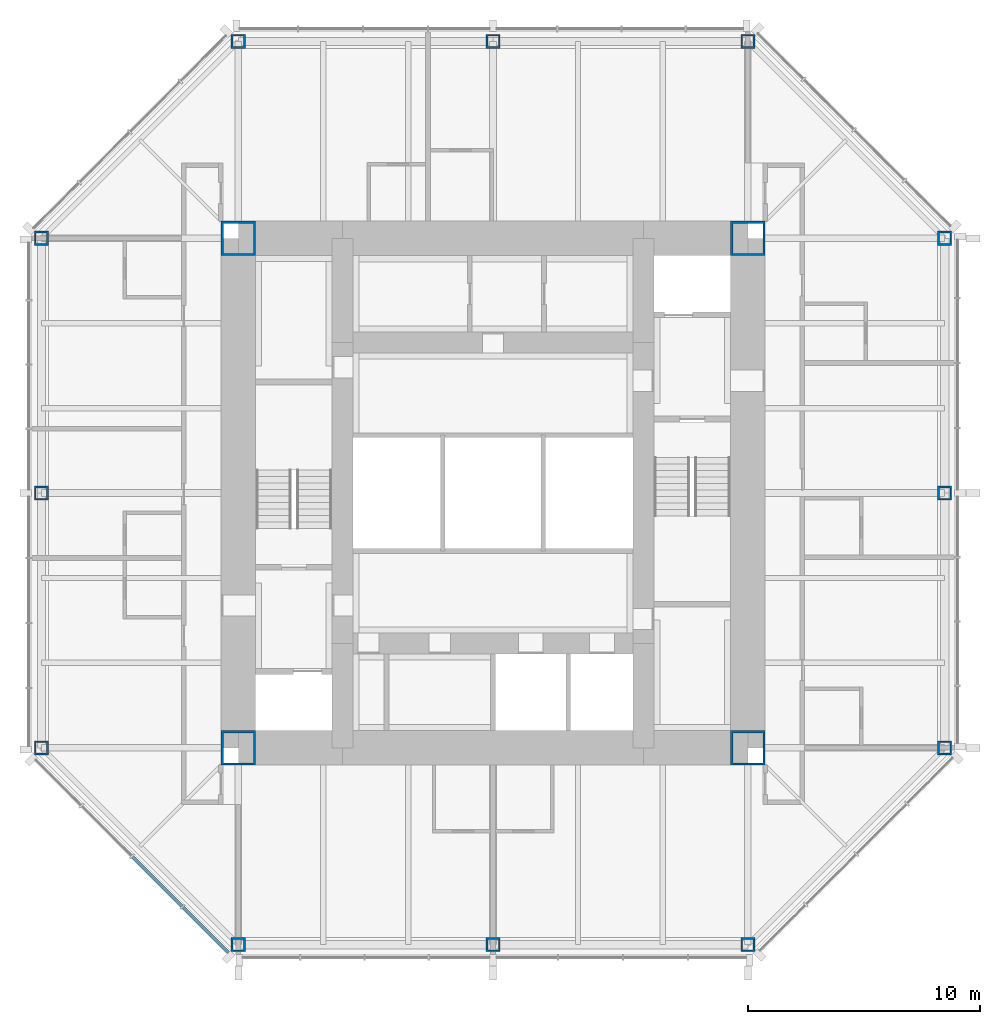
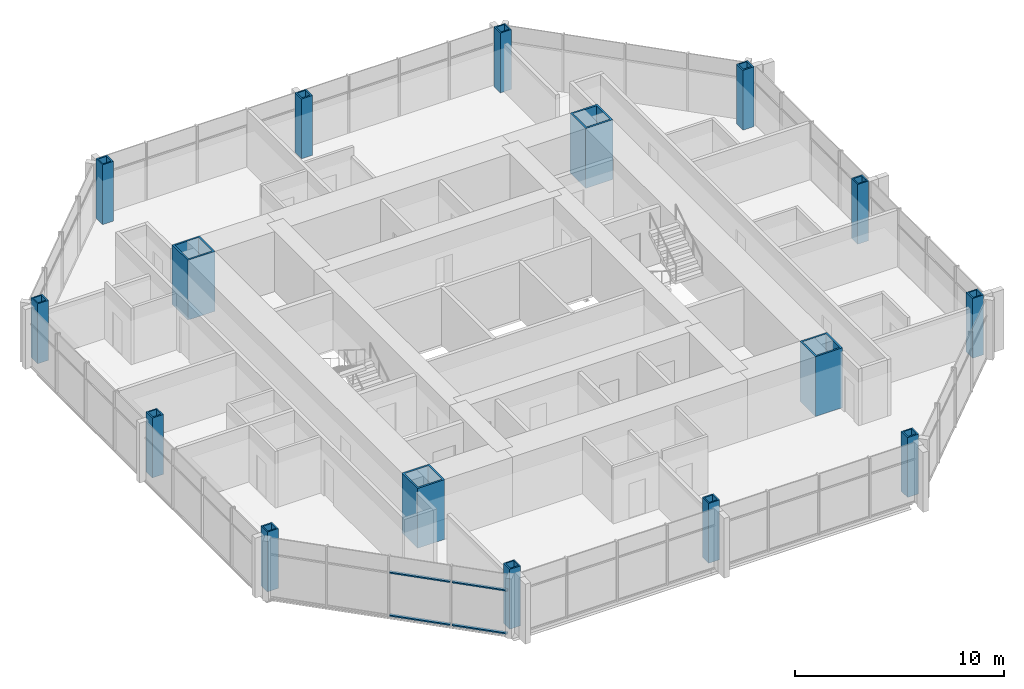
# One storey, part 1 of 11: 16 columns, 4 members, 1 element without a shape of its own.
"""IFC4 building model written with IfcOpenShell, lengths in metres."""

from ifc_helpers import new_model, si_unit, direction, frame, origin, origin_2d, place, context, subcontext, project, spatial, rectangle, hollow_rectangle, extrude, material, material_profile, profile_set, type_object, element, aggregate, save


model = new_model("IFC4")

# Units and contexts
model_context = context("Model", 3, precision=1e-05, world=origin(), true_north=direction((0.0, 1.0)))
body_context = subcontext(model_context, "Body", "Model", "MODEL_VIEW")
ifc_project = project(units=[si_unit("LENGTHUNIT", "METRE"), si_unit("AREAUNIT", "SQUARE_METRE"), si_unit("VOLUMEUNIT", "CUBIC_METRE"), si_unit("PLANEANGLEUNIT", "RADIAN"), si_unit("MASSUNIT", "GRAM", prefix="KILO")], contexts=[model_context])

# Site, building, storey
site_placement = place(None, origin())
site = spatial("IfcSite", under=ifc_project, at=site_placement, CompositionType="ELEMENT")
building_placement = place(site_placement, origin())
building = spatial("IfcBuilding", under=site, at=building_placement, Name="Trevanion Tower", CompositionType="ELEMENT")
storey_placement = place(building_placement, frame((0.0, 0.0, 232.699951171875)))
storey = spatial("IfcBuildingStorey", under=building, at=storey_placement, Name="L56", CompositionType="ELEMENT", Elevation=232.699951171875)

# Columns
ifc_material_1 = material(Name="Steel ASTM A572 Grade 50", Category="steel")
ifc_material_profile_1 = material_profile(ifc_material_1, hollow_rectangle(XDim=0.609619140625, YDim=0.609619140625, WallThickness=0.076171875, at=origin_2d()), Name="BOX24X24X3")
ifc_profile_set_1 = profile_set([ifc_material_profile_1], Name="Steel ASTM A572 Grade 50")
column_type_1 = type_object("IfcColumnType", Name="C5 BOX24X24X3", PredefinedType="COLUMN", material=ifc_profile_set_1)
for number, where, z_axis, x_axis, name in (
    (1, (-19.5, 0.0, 0.0), (0.0, 0.0, 1.0), (0.0, 1.0, 0.0), "C5 5/H L56"),
    (2, (-19.5, -11.0, 0.0), (0.0, 0.0, 1.0), (0.0, 1.0, 0.0), "C5 5/F L56"),
    (3, (-11.0, -19.5, 0.0), (0.0, 0.0, 1.0), (1.0, 0.0, 0.0), "C5 8/C L56"),
    (4, (0.0, -19.5, 0.0), (0.0, 0.0, 1.0), (1.0, 0.0, 0.0), "C5 10/C L56"),
    (5, (11.0, -19.5, 0.0), (0.0, 0.0, 1.0), (1.0, 0.0, 0.0), "C5 12/C L56"),
    (6, (19.5, -11.0, 0.0), (0.0, 0.0, 1.0), (0.0, 1.0, 0.0), "C5 15/F L56"),
    (7, (19.5, 0.0, 0.0), (0.0, 0.0, 1.0), (0.0, 1.0, 0.0), "C5 15/H L56"),
    (8, (19.5, 11.0, 0.0), (0.0, 0.0, 1.0), (0.0, 1.0, 0.0), "C5 15/K L56"),
    (9, (11.0, 19.5, 0.0), (0.0, 0.0, 1.0), (1.0, 0.0, 0.0), "C5 12/N L56"),
    (10, (0.0, 19.5, 0.0), (0.0, 0.0, 1.0), (1.0, 0.0, 0.0), "C5 10/N L56"),
    (11, (-11.0, 19.5, 0.0), (0.0, 0.0, 1.0), (1.0, 0.0, 0.0), "C5 8/N L56"),
    (12, (-19.5, 11.0, 0.0), (0.0, 0.0, 1.0), (0.0, 1.0, 0.0), "C5 5/K L56"),
):
    element("IfcColumn", number, at=place(storey_placement, frame(where, z_axis=z_axis, x_axis=x_axis)), inside=storey, type_object=column_type_1, Name=name, PredefinedType="COLUMN", context=body_context, shape_type="SweptSolid", body=[
        extrude(hollow_rectangle(XDim=0.609619140625, YDim=0.609619140625, WallThickness=0.076171875, at=origin_2d()), origin(), (0.0, 0.0, 1.0), 3.5),
    ])
ifc_material_2 = material(Name="Steel ASTM A572 Grade 50", Category="steel")
ifc_material_profile_2 = material_profile(ifc_material_2, hollow_rectangle(XDim=1.49853515625, YDim=1.49853515625, WallThickness=0.1015625, at=origin_2d()), Name="BOX59X59X4")
ifc_profile_set_2 = profile_set([ifc_material_profile_2], Name="Steel ASTM A572 Grade 50")
column_type_2 = type_object("IfcColumnType", Name="CB1 BOX59X59X4", PredefinedType="COLUMN", material=ifc_profile_set_2)
for number, where, z_axis, x_axis, name in (
    (13, (11.0, 11.0, 0.0), (0.0, 0.0, 1.0), (1.0, 0.0, 0.0), "CB1 NE L56"),
    (14, (-11.0, 11.0, 0.0), (0.0, 0.0, 1.0), (1.0, 0.0, 0.0), "CB1 NW L56"),
    (15, (-11.0, -11.0, 0.0), (0.0, 0.0, 1.0), (1.0, 0.0, 0.0), "CB1 SW L56"),
    (16, (11.0, -11.0, 0.0), (0.0, 0.0, 1.0), (1.0, 0.0, 0.0), "CB1 SE L56"),
):
    element("IfcColumn", number, at=place(storey_placement, frame(where, z_axis=z_axis, x_axis=x_axis)), inside=storey, type_object=column_type_2, Name=name, PredefinedType="COLUMN", context=body_context, shape_type="SweptSolid", body=[
        extrude(hollow_rectangle(XDim=1.49853515625, YDim=1.49853515625, WallThickness=0.1015625, at=origin_2d()), origin(), (0.0, 0.0, 1.0), 3.5),
    ])

# Curtain wall, members
ifc_material_3 = material(Name="Aluminium and glass", Category="aluminium")
curtain_wall_type = type_object("IfcCurtainWallType", Name="CW3 curtain wall", PredefinedType="USERDEFINED", material=ifc_material_3)
curtain_wall_placement = place(storey_placement, origin())
curtain_wall = element("IfcCurtainWall", 17, at=curtain_wall_placement, inside=storey, type_object=curtain_wall_type, Name="CW3 L56 5", ObjectType="UNITISED CURTAIN WALL", PredefinedType="USERDEFINED")
ifc_material_4 = material(Name="Aluminium extrusion, anodised bronze", Category="aluminium")
ifc_material_profile_3 = material_profile(ifc_material_4, rectangle(XDim=0.14990234375, YDim=0.074951171875, at=origin_2d()), Name="CW3 transom")
ifc_profile_set_3 = profile_set([ifc_material_profile_3], Name="Aluminium extrusion, anodised bronze")
member_type = type_object("IfcMemberType", Name="CW3 transom", PredefinedType="USERDEFINED", material=ifc_profile_set_3)
member_1_placement = place(storey_placement, frame((-15.56640625, -15.71142578125, -0.15234375), z_axis=(0.707106781187, -0.707106781187, 0.0), x_axis=(0.707106781187, 0.707106781187, 0.0)))
member_1 = element("IfcMember", 18, at=member_1_placement, type_object=member_type, Name="CW3 transom 3.1", ObjectType="TRANSOM", PredefinedType="USERDEFINED", context=body_context, shape_type="SweptSolid", body=[
    extrude(rectangle(XDim=0.14990234375, YDim=0.074951171875, at=origin_2d()), origin(), (0.0, 0.0, 1.0), 3.011474609375),
])
member_2_placement = place(storey_placement, frame((-15.56640625, -15.71142578125, 2.360107421875), z_axis=(0.707106781187, -0.707106781187, 0.0), x_axis=(0.707106781187, 0.707106781187, 0.0)))
member_2 = element("IfcMember", 19, at=member_2_placement, type_object=member_type, Name="CW3 transom 3.2", ObjectType="TRANSOM", PredefinedType="USERDEFINED", context=body_context, shape_type="SweptSolid", body=[
    extrude(rectangle(XDim=0.14990234375, YDim=0.074951171875, at=origin_2d()), origin(), (0.0, 0.0, 1.0), 3.011474609375),
])
member_3_placement = place(storey_placement, frame((-13.3837890625, -17.89404296875, -0.15234375), z_axis=(0.707106781187, -0.707106781187, 0.0), x_axis=(0.707106781187, 0.707106781187, 0.0)))
member_3 = element("IfcMember", 20, at=member_3_placement, type_object=member_type, Name="CW3 transom 4.1", ObjectType="TRANSOM", PredefinedType="USERDEFINED", context=body_context, shape_type="SweptSolid", body=[
    extrude(rectangle(XDim=0.14990234375, YDim=0.074951171875, at=origin_2d()), origin(), (0.0, 0.0, 1.0), 2.7490234375),
])
member_4_placement = place(storey_placement, frame((-13.3837890625, -17.89404296875, 2.360107421875), z_axis=(0.707106781187, -0.707106781187, 0.0), x_axis=(0.707106781187, 0.707106781187, 0.0)))
member_4 = element("IfcMember", 21, at=member_4_placement, type_object=member_type, Name="CW3 transom 4.2", ObjectType="TRANSOM", PredefinedType="USERDEFINED", context=body_context, shape_type="SweptSolid", body=[
    extrude(rectangle(XDim=0.14990234375, YDim=0.074951171875, at=origin_2d()), origin(), (0.0, 0.0, 1.0), 2.7490234375),
])
aggregate(curtain_wall, [member_1, member_2, member_3, member_4])

save(model, "model.ifc")
